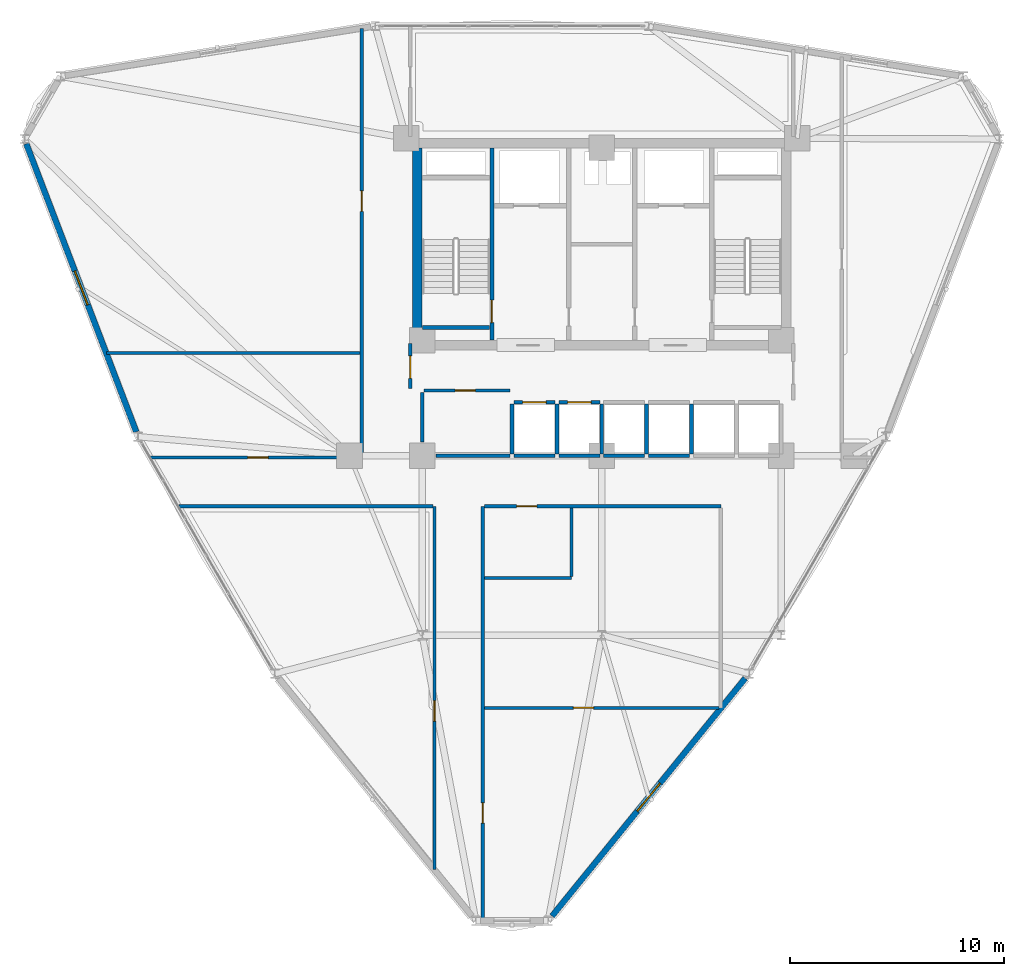
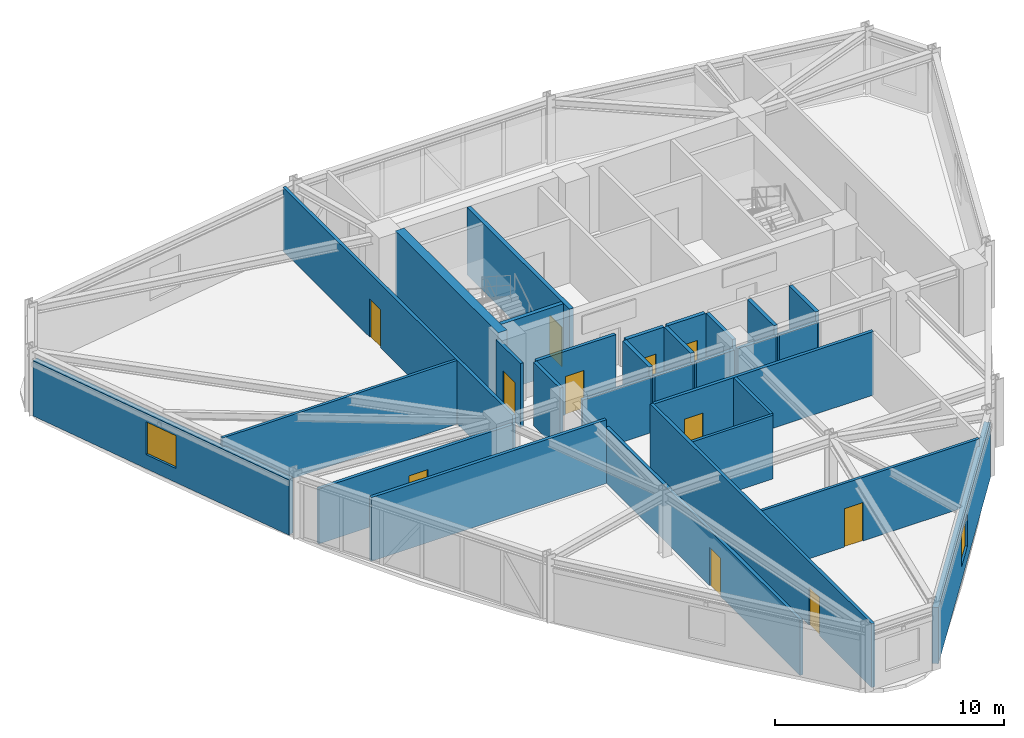
# One storey, part 10 of 15: 30 walls, 11 doors, 2 windows, 13 openings.
"""IFC4 building model written with IfcOpenShell, lengths in metres."""

from ifc_helpers import new_model, si_unit, derived_unit, direction, frame, frame_2d, origin, place, context, subcontext, project, spatial, rectangle, extrude, material, layer, layer_set, type_object, element, fill, save


model = new_model("IFC4")

# Units and contexts
model_context = context("Model", 3, precision=1e-05, world=origin(), true_north=direction((0.0, 1.0)))
body_context = subcontext(model_context, "Body", "Model", "MODEL_VIEW")
ifc_project = project(units=[si_unit("LENGTHUNIT", "METRE"), si_unit("AREAUNIT", "SQUARE_METRE"), si_unit("VOLUMEUNIT", "CUBIC_METRE"), si_unit("PLANEANGLEUNIT", "RADIAN"), si_unit("MASSUNIT", "GRAM", prefix="KILO"), derived_unit("THERMALTRANSMITTANCEUNIT", [(si_unit("POWERUNIT", "WATT"), 1), (si_unit("LENGTHUNIT", "METRE"), -2), (si_unit("THERMODYNAMICTEMPERATUREUNIT", "KELVIN"), -1)])], contexts=[model_context])

# Site, building, storey
site_placement = place(None, origin())
site = spatial("IfcSite", under=ifc_project, at=site_placement, CompositionType="ELEMENT")
building_placement = place(site_placement, origin())
building = spatial("IfcBuilding", under=site, at=building_placement, Name="Korsvarv Bourse and Concert Hall", CompositionType="ELEMENT")
storey_placement = place(building_placement, frame((0.0, 0.0, 161.39990234375)))
storey = spatial("IfcBuildingStorey", under=building, at=storey_placement, Name="L41", CompositionType="ELEMENT", Elevation=161.39990234375)

# Wall, opening, door
ifc_material_1 = material(Name="Concrete C50/60", Category="concrete")
ifc_layer_1 = layer(ifc_material_1, 0.3798828125)
ifc_layer_set_1 = layer_set([ifc_layer_1], Name="Concrete C50/60")
wall_type_1 = type_object("IfcWallType", Name="WL-CORE-380", PredefinedType="SHEAR", material=ifc_layer_set_1)
wall_1_placement = place(storey_placement, frame((30.860107421875, 37.81005859375, 0.0), z_axis=(0.0, 0.0, 1.0), x_axis=(0.0, 1.0, 0.0)))
wall_1 = element("IfcWall", 1, at=wall_1_placement, inside=storey, type_object=wall_type_1, Name="L41 stair shaft structural wall W-L41-ST1-E", PredefinedType="SHEAR", context=body_context, shape_type="SweptSolid", body=[
    extrude(rectangle(XDim=8.97998046875, YDim=0.199951171875, at=frame_2d((4.489990234375, 0.0))), origin(), (0.0, 0.0, 1.0), 3.60009765625),
])
opening_1_placement = place(wall_1_placement, frame((0.820068359375, 0.0, 0.0)))
opening_1 = element("IfcOpeningElement", 2, at=opening_1_placement, cuts=wall_1, Name="Opening D-01", PredefinedType="OPENING", context=body_context, shape_type="SweptSolid", body=[
    extrude(rectangle(XDim=1.050048828125, YDim=2.10009765625, at=frame_2d((0.52490234375, 1.050048828125))), frame((0.0, 0.10986328125, 0.0), z_axis=(0.0, -1.0, 0.0), x_axis=(1.0, 0.0, 0.0)), (0.0, 0.0, 1.0), 0.219970703125),
])
ifc_material_2 = material(Name="Steel S355 fire door", Category="steel")
door_type_1 = type_object("IfcDoorType", Name="DR-FD60", OperationType="NOTDEFINED", PredefinedType="DOOR", material=ifc_material_2)
door_1_placement = place(opening_1_placement, origin())
door_1 = element("IfcDoor", 3, at=door_1_placement, inside=storey, type_object=door_type_1, Name="L41 interior door DR-L41-ST1", OperationType="SINGLE_SWING_RIGHT", OverallHeight=2.10009765625, OverallWidth=1.050048828125, PredefinedType="DOOR", context=body_context, shape_type="SweptSolid", body=[
    extrude(rectangle(XDim=1.050048828125, YDim=2.10009765625, at=frame_2d((0.52490234375, 1.050048828125))), frame((0.0, 0.02490234375, 0.0), z_axis=(0.0, -1.0, 0.0), x_axis=(1.0, 0.0, 0.0)), (0.0, 0.0, 1.0), 0.050048828125),
])
fill(opening_1, door_1)

# Walls
wall_2_placement = place(storey_placement, frame((27.610107421875, 38.39990234375, 0.0), z_axis=(0.0, 0.0, 1.0), x_axis=(1.0, 0.0, 0.0)))
element("IfcWall", 4, at=wall_2_placement, inside=storey, type_object=wall_type_1, Name="L41 stair shaft structural wall W-L41-ST1-S", PredefinedType="SHEAR", context=body_context, shape_type="SweptSolid", body=[
    extrude(rectangle(XDim=3.139892578125, YDim=0.199951171875, at=frame_2d((1.56982421875, 0.0))), origin(), (0.0, 0.0, 1.0), 3.60009765625),
])
ifc_material_3 = material(Name="Concrete C55/67", Category="concrete")
ifc_layer_2 = layer(ifc_material_3, 0.449951171875)
ifc_layer_set_2 = layer_set([ifc_layer_2], Name="Concrete C55/67")
wall_type_2 = type_object("IfcWallType", Name="WL-CORE-450", PredefinedType="SHEAR", material=ifc_layer_set_2)
wall_3_placement = place(storey_placement, frame((27.375, 37.800048828125, 0.0), z_axis=(0.0, 0.0, 1.0), x_axis=(0.0, 1.0, 0.0)))
element("IfcWall", 5, at=wall_3_placement, inside=storey, type_object=wall_type_2, Name="L41 West Core Shear Wall", PredefinedType="SHEAR", context=body_context, shape_type="SweptSolid", body=[
    extrude(rectangle(XDim=9.0, YDim=0.449951171875, at=frame_2d((4.5, 0.0))), origin(), (0.0, 0.0, 1.0), 3.60009765625),
])

# Wall, opening, window
ifc_material_4 = material(Name="Precast concrete C45/55 with fluted terracotta pier", Category="concrete")
ifc_layer_3 = layer(ifc_material_4, 0.280029296875)
ifc_layer_set_3 = layer_set([ifc_layer_3], Name="Precast concrete C45/55 with fluted terracotta pier")
wall_type_3 = type_object("IfcWallType", Name="WL-EXT-TC2", PredefinedType="SOLIDWALL", material=ifc_layer_set_3)
wall_4_placement = place(storey_placement, frame((9.07080078125, 46.991455078125, 0.0), z_axis=(0.0, 0.0, 1.0), x_axis=(0.356763590825, -0.934194701474, 0.0)))
wall_4 = element("IfcWall", 6, at=wall_4_placement, inside=storey, type_object=wall_type_3, Name="L41 terracotta exterior wall EW-L41-B06", PredefinedType="SOLIDWALL", context=body_context, shape_type="SweptSolid", body=[
    extrude(rectangle(XDim=14.42822265625, YDim=0.280029296875, at=frame_2d((7.214111328125, 0.0))), origin(), (0.0, 0.0, 1.0), 2.9501953125),
])
opening_2_placement = place(wall_4_placement, frame((6.364013671875, 0.0, 0.75)))
opening_2 = element("IfcOpeningElement", 7, at=opening_2_placement, cuts=wall_4, Name="Opening W-01", PredefinedType="OPENING", context=body_context, shape_type="SweptSolid", body=[
    extrude(rectangle(XDim=1.699951171875, YDim=1.75, at=frame_2d((0.85009765625, 0.875))), frame((0.0, 0.14990234375, 0.0), z_axis=(0.0, -1.0, 0.0), x_axis=(1.0, 0.0, 0.0)), (0.0, 0.0, 1.0), 0.300048828125),
])
ifc_material_5 = material(Name="Thermally broken aluminium frame with triple low-E glass", Category="glass")
window_type = type_object("IfcWindowType", Name="WIN-TW1", PartitioningType="SINGLE_PANEL", PredefinedType="WINDOW", material=ifc_material_5)
window_1_placement = place(opening_2_placement, origin())
window_1 = element("IfcWindow", 8, at=window_1_placement, inside=storey, type_object=window_type, Name="L41 punched facade window W-01", OverallHeight=1.75, OverallWidth=1.699951171875, PartitioningType="SINGLE_PANEL", PredefinedType="WINDOW", context=body_context, shape_type="SweptSolid", body=[
    extrude(rectangle(XDim=1.699951171875, YDim=1.75, at=frame_2d((0.85009765625, 0.875))), frame((0.0, 0.030029296875, 0.0), z_axis=(0.0, -1.0, 0.0), x_axis=(1.0, 0.0, 0.0)), (0.0, 0.0, 1.0), 0.06005859375),
])
fill(opening_2, window_1)

wall_5_placement = place(storey_placement, frame((33.676513671875, 10.85791015625, 0.0), z_axis=(0.0, 0.0, 1.0), x_axis=(0.630649703469, 0.776067620452, 0.0)))
wall_5 = element("IfcWall", 9, at=wall_5_placement, inside=storey, type_object=wall_type_3, Name="L41 terracotta exterior wall EW-L41-B10", PredefinedType="SOLIDWALL", context=body_context, shape_type="SweptSolid", body=[
    extrude(rectangle(XDim=14.3310546875, YDim=0.280029296875, at=frame_2d((7.16552734375, 0.0))), origin(), (0.0, 0.0, 1.0), 3.0),
])
opening_3_placement = place(wall_5_placement, frame((6.315673828125, 0.0, 0.75)))
opening_3 = element("IfcOpeningElement", 10, at=opening_3_placement, cuts=wall_5, Name="Opening W-01", PredefinedType="OPENING", context=body_context, shape_type="SweptSolid", body=[
    extrude(rectangle(XDim=1.699951171875, YDim=1.75, at=frame_2d((0.85009765625, 0.875))), frame((0.0, 0.14990234375, 0.0), z_axis=(0.0, -1.0, 0.0), x_axis=(1.0, 0.0, 0.0)), (0.0, 0.0, 1.0), 0.300048828125),
])
window_2_placement = place(opening_3_placement, origin())
window_2 = element("IfcWindow", 11, at=window_2_placement, inside=storey, type_object=window_type, Name="L41 punched facade window W-01", OverallHeight=1.75, OverallWidth=1.699951171875, PartitioningType="SINGLE_PANEL", PredefinedType="WINDOW", context=body_context, shape_type="SweptSolid", body=[
    extrude(rectangle(XDim=1.699951171875, YDim=1.75, at=frame_2d((0.85009765625, 0.875))), frame((0.0, 0.030029296875, 0.0), z_axis=(0.0, -1.0, 0.0), x_axis=(1.0, 0.0, 0.0)), (0.0, 0.0, 1.0), 0.06005859375),
])
fill(opening_3, window_2)

# Walls
ifc_material_6 = material(Name="Double-stud fire-rated acoustic partition", Category="gypsum")
ifc_layer_4 = layer(ifc_material_6, 0.159912109375)
ifc_layer_set_4 = layer_set([ifc_layer_4], Name="Double-stud fire-rated acoustic partition")
wall_type_4 = type_object("IfcWallType", Name="WL-INT-EI60", PredefinedType="PARTITIONING", material=ifc_layer_set_4)
wall_6_placement = place(storey_placement, frame((28.25, 32.39990234375, 0.0), z_axis=(0.0, 0.0, 1.0), x_axis=(1.0, 0.0, 0.0)))
element("IfcWall", 12, at=wall_6_placement, inside=storey, type_object=wall_type_4, Name="L41 interior partition wall W-L41-FRD-S", PredefinedType="PARTITIONING", context=body_context, shape_type="SweptSolid", body=[
    extrude(rectangle(XDim=3.449951171875, YDim=0.159912109375, at=frame_2d((1.72509765625, 0.0))), origin(), (0.0, 0.0, 1.0), 2.9501953125),
])
wall_7_placement = place(storey_placement, frame((27.60009765625, 33.050048828125, 0.0), z_axis=(0.0, 0.0, 1.0), x_axis=(0.0, 1.0, 0.0)))
element("IfcWall", 13, at=wall_7_placement, inside=storey, type_object=wall_type_4, Name="L41 interior partition wall W-L41-FRD-W", PredefinedType="PARTITIONING", context=body_context, shape_type="SweptSolid", body=[
    extrude(rectangle(XDim=2.31005859375, YDim=0.159912109375, at=frame_2d((1.155029296875, 0.0))), origin(), (0.0, 0.0, 1.0), 3.400146484375),
])

# Wall, opening, door
wall_8_placement = place(storey_placement, frame((27.68994140625, 35.449951171875, 0.0), z_axis=(0.0, 0.0, 1.0), x_axis=(1.0, 0.0, 0.0)))
wall_8 = element("IfcWall", 14, at=wall_8_placement, inside=storey, type_object=wall_type_4, Name="L41 interior partition wall W-L41-FRD-N", PredefinedType="PARTITIONING", context=body_context, shape_type="SweptSolid", body=[
    extrude(rectangle(XDim=4.010009765625, YDim=0.159912109375, at=frame_2d((2.0048828125, 0.0))), origin(), (0.0, 0.0, 1.0), 3.400146484375),
])
opening_4_placement = place(wall_8_placement, frame((1.449951171875, 0.0, 0.0)))
opening_4 = element("IfcOpeningElement", 15, at=opening_4_placement, cuts=wall_8, Name="Opening D-03", PredefinedType="OPENING", context=body_context, shape_type="SweptSolid", body=[
    extrude(rectangle(XDim=0.949951171875, YDim=2.050048828125, at=frame_2d((0.47509765625, 1.02490234375))), frame((0.0, 0.08984375, 0.0), z_axis=(0.0, -1.0, 0.0), x_axis=(1.0, 0.0, 0.0)), (0.0, 0.0, 1.0), 0.179931640625),
])
ifc_material_7 = material(Name="Nordic oak acoustic office door", Category="wood")
door_type_2 = type_object("IfcDoorType", Name="DR-INT-1", OperationType="NOTDEFINED", PredefinedType="DOOR", material=ifc_material_7)
door_2_placement = place(opening_4_placement, origin())
door_2 = element("IfcDoor", 16, at=door_2_placement, inside=storey, type_object=door_type_2, Name="L41 interior door DR-L41-FRDN1", OperationType="SINGLE_SWING_RIGHT", OverallHeight=2.050048828125, OverallWidth=0.949951171875, PredefinedType="DOOR", context=body_context, shape_type="SweptSolid", body=[
    extrude(rectangle(XDim=0.949951171875, YDim=2.050048828125, at=frame_2d((0.47509765625, 1.02490234375))), frame((0.0, 0.02490234375, 0.0), z_axis=(0.0, -1.0, 0.0), x_axis=(1.0, 0.0, 0.0)), (0.0, 0.0, 1.0), 0.050048828125),
])
fill(opening_4, door_2)

wall_9_placement = place(storey_placement, frame((27.0400390625, 35.5400390625, 0.0), z_axis=(0.0, 0.0, 1.0), x_axis=(0.0, 1.0, 0.0)))
wall_9 = element("IfcWall", 17, at=wall_9_placement, inside=storey, type_object=wall_type_4, Name="L41 interior partition wall W-L41-LOB-WL", PredefinedType="PARTITIONING", context=body_context, shape_type="SweptSolid", body=[
    extrude(rectangle(XDim=2.10986328125, YDim=0.159912109375, at=frame_2d((1.054931640625, 0.0))), origin(), (0.0, 0.0, 1.0), 3.400146484375),
])
opening_5_placement = place(wall_9_placement, frame((0.47998046875, 0.0, 0.0)))
opening_5 = element("IfcOpeningElement", 18, at=opening_5_placement, cuts=wall_9, Name="Opening D-01", PredefinedType="OPENING", context=body_context, shape_type="SweptSolid", body=[
    extrude(rectangle(XDim=1.050048828125, YDim=2.10009765625, at=frame_2d((0.52490234375, 1.050048828125))), frame((0.0, 0.08984375, 0.0), z_axis=(0.0, -1.0, 0.0), x_axis=(1.0, 0.0, 0.0)), (0.0, 0.0, 1.0), 0.179931640625),
])
door_3_placement = place(opening_5_placement, frame((1.050048828125, 0.0, 0.0), z_axis=(0.0, 0.0, 1.0), x_axis=(-1.0, 0.0, 0.0)))
door_3 = element("IfcDoor", 19, at=door_3_placement, inside=storey, type_object=door_type_1, Name="L41 interior door DR-L41-LOBW", OperationType="SINGLE_SWING_LEFT", OverallHeight=2.10009765625, OverallWidth=1.050048828125, PredefinedType="DOOR", context=body_context, shape_type="SweptSolid", body=[
    extrude(rectangle(XDim=1.050048828125, YDim=2.10009765625, at=frame_2d((0.52490234375, 1.050048828125))), frame((0.0, 0.02490234375, 0.0), z_axis=(0.0, -1.0, 0.0), x_axis=(1.0, 0.0, 0.0)), (0.0, 0.0, 1.0), 0.050048828125),
])
fill(opening_5, door_3)

wall_10_placement = place(storey_placement, frame((24.77490234375, 32.31005859375, 0.0), z_axis=(0.0, 0.0, 1.0), x_axis=(0.0, 1.0, 0.0)))
wall_10 = element("IfcWall", 20, at=wall_10_placement, inside=storey, type_object=wall_type_4, Name="L41 interior partition wall W-L41-TCOR-01", PredefinedType="PARTITIONING", context=body_context, shape_type="SweptSolid", body=[
    extrude(rectangle(XDim=20.07763671875, YDim=0.159912109375, at=frame_2d((10.038818359375, 0.0))), origin(), (0.0, 0.0, 1.0), 3.400146484375),
])
opening_6_placement = place(wall_10_placement, frame((11.525390625, 0.0, 0.0)))
opening_6 = element("IfcOpeningElement", 21, at=opening_6_placement, cuts=wall_10, Name="Opening D-02", PredefinedType="OPENING", context=body_context, shape_type="SweptSolid", body=[
    extrude(rectangle(XDim=0.949951171875, YDim=2.050048828125, at=frame_2d((0.47509765625, 1.02490234375))), frame((0.0, 0.08984375, 0.0), z_axis=(0.0, -1.0, 0.0), x_axis=(1.0, 0.0, 0.0)), (0.0, 0.0, 1.0), 0.179931640625),
])
ifc_material_8 = material(Name="Timber and steel acoustic fire door", Category="wood")
door_type_3 = type_object("IfcDoorType", Name="DR-FD30", OperationType="NOTDEFINED", PredefinedType="DOOR", material=ifc_material_8)
door_4_placement = place(opening_6_placement, origin())
door_4 = element("IfcDoor", 22, at=door_4_placement, inside=storey, type_object=door_type_3, Name="L41 interior door DR-L41-TCOR-S067", OperationType="SINGLE_SWING_LEFT", OverallHeight=2.050048828125, OverallWidth=0.949951171875, PredefinedType="DOOR", context=body_context, shape_type="SweptSolid", body=[
    extrude(rectangle(XDim=0.949951171875, YDim=2.050048828125, at=frame_2d((0.47509765625, 1.02490234375))), frame((0.0, 0.02490234375, 0.0), z_axis=(0.0, -1.0, 0.0), x_axis=(1.0, 0.0, 0.0)), (0.0, 0.0, 1.0), 0.050048828125),
])
fill(opening_6, door_4)

wall_11_placement = place(storey_placement, frame((30.425048828125, 10.6552734375, 0.0), z_axis=(0.0, 0.0, 1.0), x_axis=(0.0, 1.0, 0.0)))
wall_11 = element("IfcWall", 23, at=wall_11_placement, inside=storey, type_object=wall_type_4, Name="L41 interior partition wall W-L41-TCOR-02", PredefinedType="PARTITIONING", context=body_context, shape_type="SweptSolid", body=[
    extrude(rectangle(XDim=19.374755859375, YDim=0.159912109375, at=frame_2d((9.6875, 0.0))), origin(), (0.0, 0.0, 1.0), 3.400146484375),
])
opening_7_placement = place(wall_11_placement, frame((4.552490234375, 0.0, 0.0)))
opening_7 = element("IfcOpeningElement", 24, at=opening_7_placement, cuts=wall_11, Name="Opening D-02", PredefinedType="OPENING", context=body_context, shape_type="SweptSolid", body=[
    extrude(rectangle(XDim=0.949951171875, YDim=2.050048828125, at=frame_2d((0.47509765625, 1.02490234375))), frame((0.0, 0.08984375, 0.0), z_axis=(0.0, -1.0, 0.0), x_axis=(1.0, 0.0, 0.0)), (0.0, 0.0, 1.0), 0.179931640625),
])
door_5_placement = place(opening_7_placement, origin())
door_5 = element("IfcDoor", 25, at=door_5_placement, inside=storey, type_object=door_type_3, Name="L41 interior door DR-L41-TCOR-S023", OperationType="SINGLE_SWING_RIGHT", OverallHeight=2.050048828125, OverallWidth=0.949951171875, PredefinedType="DOOR", context=body_context, shape_type="SweptSolid", body=[
    extrude(rectangle(XDim=0.949951171875, YDim=2.050048828125, at=frame_2d((0.47509765625, 1.02490234375))), frame((0.0, 0.02490234375, 0.0), z_axis=(0.0, -1.0, 0.0), x_axis=(1.0, 0.0, 0.0)), (0.0, 0.0, 1.0), 0.050048828125),
])
fill(opening_7, door_5)

wall_12_placement = place(storey_placement, frame((28.175048828125, 13.029541015625, 0.0), z_axis=(0.0, 0.0, 1.0), x_axis=(0.0, 1.0, 0.0)))
wall_12 = element("IfcWall", 26, at=wall_12_placement, inside=storey, type_object=wall_type_4, Name="L41 interior partition wall W-L41-TCOR-04", PredefinedType="PARTITIONING", context=body_context, shape_type="SweptSolid", body=[
    extrude(rectangle(XDim=17.00048828125, YDim=0.159912109375, at=frame_2d((8.500244140625, 0.0))), origin(), (0.0, 0.0, 1.0), 2.9501953125),
])
opening_8_placement = place(wall_12_placement, frame((6.955078125, 0.0, 0.0)))
opening_8 = element("IfcOpeningElement", 27, at=opening_8_placement, cuts=wall_12, Name="Opening D-02", PredefinedType="OPENING", context=body_context, shape_type="SweptSolid", body=[
    extrude(rectangle(XDim=0.949951171875, YDim=2.050048828125, at=frame_2d((0.47509765625, 1.02490234375))), frame((0.0, 0.08984375, 0.0), z_axis=(0.0, -1.0, 0.0), x_axis=(1.0, 0.0, 0.0)), (0.0, 0.0, 1.0), 0.179931640625),
])
door_6_placement = place(opening_8_placement, origin())
door_6 = element("IfcDoor", 28, at=door_6_placement, inside=storey, type_object=door_type_3, Name="L41 interior door DR-L41-TCOR-S035", OperationType="SINGLE_SWING_RIGHT", OverallHeight=2.050048828125, OverallWidth=0.949951171875, PredefinedType="DOOR", context=body_context, shape_type="SweptSolid", body=[
    extrude(rectangle(XDim=0.949951171875, YDim=2.050048828125, at=frame_2d((0.47509765625, 1.02490234375))), frame((0.0, 0.02490234375, 0.0), z_axis=(0.0, -1.0, 0.0), x_axis=(1.0, 0.0, 0.0)), (0.0, 0.0, 1.0), 0.050048828125),
])
fill(opening_8, door_6)

# Wall
wall_13_placement = place(storey_placement, frame((16.20849609375, 30.02490234375, 0.0), z_axis=(0.0, 0.0, 1.0), x_axis=(1.0, 0.0, 0.0)))
element("IfcWall", 29, at=wall_13_placement, inside=storey, type_object=wall_type_4, Name="L41 interior partition wall W-L41-TCOR-05", PredefinedType="PARTITIONING", context=body_context, shape_type="SweptSolid", body=[
    extrude(rectangle(XDim=11.884521484375, YDim=0.159912109375, at=frame_2d((5.9423828125, 0.0))), origin(), (0.0, 0.0, 1.0), 3.400146484375),
])

# Wall, opening, door
wall_14_placement = place(storey_placement, frame((30.507080078125, 30.02490234375, 0.0), z_axis=(0.0, 0.0, 1.0), x_axis=(1.0, 0.0, 0.0)))
wall_14 = element("IfcWall", 30, at=wall_14_placement, inside=storey, type_object=wall_type_4, Name="L41 interior partition wall W-L41-TCOR-06", PredefinedType="PARTITIONING", context=body_context, shape_type="SweptSolid", body=[
    extrude(rectangle(XDim=11.072998046875, YDim=0.159912109375, at=frame_2d((5.53662109375, 0.0))), origin(), (0.0, 0.0, 1.0), 3.400146484375),
])
opening_9_placement = place(wall_14_placement, frame((1.51220703125, 0.0, 0.0)))
opening_9 = element("IfcOpeningElement", 31, at=opening_9_placement, cuts=wall_14, Name="Opening D-02", PredefinedType="OPENING", context=body_context, shape_type="SweptSolid", body=[
    extrude(rectangle(XDim=0.949951171875, YDim=2.050048828125, at=frame_2d((0.47509765625, 1.02490234375))), frame((0.0, 0.08984375, 0.0), z_axis=(0.0, -1.0, 0.0), x_axis=(1.0, 0.0, 0.0)), (0.0, 0.0, 1.0), 0.179931640625),
])
door_7_placement = place(opening_9_placement, origin())
door_7 = element("IfcDoor", 32, at=door_7_placement, inside=storey, type_object=door_type_3, Name="L41 interior door DR-L41-TCOR-RWC", OperationType="SINGLE_SWING_LEFT", OverallHeight=2.050048828125, OverallWidth=0.949951171875, PredefinedType="DOOR", context=body_context, shape_type="SweptSolid", body=[
    extrude(rectangle(XDim=0.949951171875, YDim=2.050048828125, at=frame_2d((0.47509765625, 1.02490234375))), frame((0.0, 0.02490234375, 0.0), z_axis=(0.0, -1.0, 0.0), x_axis=(1.0, 0.0, 0.0)), (0.0, 0.0, 1.0), 0.050048828125),
])
fill(opening_9, door_7)

wall_15_placement = place(storey_placement, frame((14.88623046875, 32.31494140625, 0.0), z_axis=(0.0, 0.0, 1.0), x_axis=(1.0, 0.0, 0.0)))
wall_15 = element("IfcWall", 33, at=wall_15_placement, inside=storey, type_object=wall_type_4, Name="L41 interior partition wall W-L41-TCOR-07", PredefinedType="PARTITIONING", context=body_context, shape_type="SweptSolid", body=[
    extrude(rectangle(XDim=9.806884765625, YDim=0.159912109375, at=frame_2d((4.9033203125, 0.0))), origin(), (0.0, 0.0, 1.0), 2.9501953125),
])
opening_10_placement = place(wall_15_placement, frame((4.54736328125, 0.0, 0.0)))
opening_10 = element("IfcOpeningElement", 34, at=opening_10_placement, cuts=wall_15, Name="Opening D-02", PredefinedType="OPENING", context=body_context, shape_type="SweptSolid", body=[
    extrude(rectangle(XDim=0.949951171875, YDim=2.050048828125, at=frame_2d((0.47509765625, 1.02490234375))), frame((0.0, 0.08984375, 0.0), z_axis=(0.0, -1.0, 0.0), x_axis=(1.0, 0.0, 0.0)), (0.0, 0.0, 1.0), 0.179931640625),
])
door_8_placement = place(opening_10_placement, origin())
door_8 = element("IfcDoor", 35, at=door_8_placement, inside=storey, type_object=door_type_3, Name="L41 interior door DR-L41-TCOR-S056", OperationType="SINGLE_SWING_RIGHT", OverallHeight=2.050048828125, OverallWidth=0.949951171875, PredefinedType="DOOR", context=body_context, shape_type="SweptSolid", body=[
    extrude(rectangle(XDim=0.949951171875, YDim=2.050048828125, at=frame_2d((0.47509765625, 1.02490234375))), frame((0.0, 0.02490234375, 0.0), z_axis=(0.0, -1.0, 0.0), x_axis=(1.0, 0.0, 0.0)), (0.0, 0.0, 1.0), 0.050048828125),
])
fill(opening_10, door_8)

ifc_material_9 = material(Name="Gypsum-clad autoclaved concrete shaft wall C30/37", Category="concrete")
ifc_layer_5 = layer(ifc_material_9, 0.179931640625)
ifc_layer_set_5 = layer_set([ifc_layer_5], Name="Gypsum-clad autoclaved concrete shaft wall C30/37")
wall_type_5 = type_object("IfcWallType", Name="WL-INT-EI90", PredefinedType="PARTITIONING", material=ifc_layer_set_5)
wall_16_placement = place(storey_placement, frame((31.889892578125, 34.89990234375, 0.0), z_axis=(0.0, 0.0, 1.0), x_axis=(1.0, 0.0, 0.0)))
wall_16 = element("IfcWall", 36, at=wall_16_placement, inside=storey, type_object=wall_type_5, Name="L41 interior partition wall W-L41-SHFN-PM1", PredefinedType="PARTITIONING", context=body_context, shape_type="SweptSolid", body=[
    extrude(rectangle(XDim=1.920166015625, YDim=0.179931640625, at=frame_2d((0.9599609375, 0.0))), origin(), (0.0, 0.0, 1.0), 3.400146484375),
])
opening_11_placement = place(wall_16_placement, frame((0.409912109375, 0.0, 0.0)))
opening_11 = element("IfcOpeningElement", 37, at=opening_11_placement, cuts=wall_16, Name="Opening LD-2", PredefinedType="OPENING", context=body_context, shape_type="SweptSolid", body=[
    extrude(rectangle(XDim=1.10009765625, YDim=2.10009765625, at=frame_2d((0.550048828125, 1.050048828125))), frame((0.0, 0.10009765625, 0.0), z_axis=(0.0, -1.0, 0.0), x_axis=(1.0, 0.0, 0.0)), (0.0, 0.0, 1.0), 0.199951171875),
])
ifc_material_10 = material(Name="Brushed stainless Steel S355 lift landing door", Category="steel")
door_type_4 = type_object("IfcDoorType", Name="DR-LIFT-P", OperationType="DOUBLE_DOOR_SLIDING", PredefinedType="DOOR", material=ifc_material_10)
door_9_placement = place(opening_11_placement, origin())
door_9 = element("IfcDoor", 38, at=door_9_placement, inside=storey, type_object=door_type_4, Name="L41 lift sliding landing door LD-L41-PM1", OperationType="DOUBLE_DOOR_SLIDING", OverallHeight=2.10009765625, OverallWidth=1.10009765625, PredefinedType="DOOR", context=body_context, shape_type="SweptSolid", body=[
    extrude(rectangle(XDim=1.10009765625, YDim=2.10009765625, at=frame_2d((0.550048828125, 1.050048828125))), frame((0.0, 0.02490234375, 0.0), z_axis=(0.0, -1.0, 0.0), x_axis=(1.0, 0.0, 0.0)), (0.0, 0.0, 1.0), 0.050048828125),
])
fill(opening_11, door_9)

# Walls
wall_17_placement = place(storey_placement, frame((31.889892578125, 32.39990234375, 0.0), z_axis=(0.0, 0.0, 1.0), x_axis=(1.0, 0.0, 0.0)))
element("IfcWall", 39, at=wall_17_placement, inside=storey, type_object=wall_type_5, Name="L41 interior partition wall W-L41-SHFS-PM1", PredefinedType="PARTITIONING", context=body_context, shape_type="SweptSolid", body=[
    extrude(rectangle(XDim=1.920166015625, YDim=0.179931640625, at=frame_2d((0.9599609375, 0.0))), origin(), (0.0, 0.0, 1.0), 2.9501953125),
])
wall_18_placement = place(storey_placement, frame((31.800048828125, 32.489990234375, 0.0), z_axis=(0.0, 0.0, 1.0), x_axis=(0.0, 1.0, 0.0)))
element("IfcWall", 40, at=wall_18_placement, inside=storey, type_object=wall_type_5, Name="L41 interior partition wall W-L41-SHFW-PM1", PredefinedType="PARTITIONING", context=body_context, shape_type="SweptSolid", body=[
    extrude(rectangle(XDim=2.320068359375, YDim=0.179931640625, at=frame_2d((1.16015625, 0.0))), origin(), (0.0, 0.0, 1.0), 3.400146484375),
])

# Wall, opening, door
wall_19_placement = place(storey_placement, frame((33.989990234375, 34.89990234375, 0.0), z_axis=(0.0, 0.0, 1.0), x_axis=(1.0, 0.0, 0.0)))
wall_19 = element("IfcWall", 41, at=wall_19_placement, inside=storey, type_object=wall_type_5, Name="L41 interior partition wall W-L41-SHFN-PM2", PredefinedType="PARTITIONING", context=body_context, shape_type="SweptSolid", body=[
    extrude(rectangle(XDim=1.919921875, YDim=0.179931640625, at=frame_2d((0.9599609375, 0.0))), origin(), (0.0, 0.0, 1.0), 3.400146484375),
])
opening_12_placement = place(wall_19_placement, frame((0.409912109375, 0.0, 0.0)))
opening_12 = element("IfcOpeningElement", 42, at=opening_12_placement, cuts=wall_19, Name="Opening LD-2", PredefinedType="OPENING", context=body_context, shape_type="SweptSolid", body=[
    extrude(rectangle(XDim=1.10009765625, YDim=2.10009765625, at=frame_2d((0.550048828125, 1.050048828125))), frame((0.0, 0.10009765625, 0.0), z_axis=(0.0, -1.0, 0.0), x_axis=(1.0, 0.0, 0.0)), (0.0, 0.0, 1.0), 0.199951171875),
])
door_10_placement = place(opening_12_placement, origin())
door_10 = element("IfcDoor", 43, at=door_10_placement, inside=storey, type_object=door_type_4, Name="L41 lift sliding landing door LD-L41-PM2", OperationType="DOUBLE_DOOR_SLIDING", OverallHeight=2.10009765625, OverallWidth=1.10009765625, PredefinedType="DOOR", context=body_context, shape_type="SweptSolid", body=[
    extrude(rectangle(XDim=1.10009765625, YDim=2.10009765625, at=frame_2d((0.550048828125, 1.050048828125))), frame((0.0, 0.02490234375, 0.0), z_axis=(0.0, -1.0, 0.0), x_axis=(1.0, 0.0, 0.0)), (0.0, 0.0, 1.0), 0.050048828125),
])
fill(opening_12, door_10)

# Walls
wall_20_placement = place(storey_placement, frame((33.989990234375, 32.39990234375, 0.0), z_axis=(0.0, 0.0, 1.0), x_axis=(1.0, 0.0, 0.0)))
element("IfcWall", 44, at=wall_20_placement, inside=storey, type_object=wall_type_5, Name="L41 interior partition wall W-L41-SHFS-PM2", PredefinedType="PARTITIONING", context=body_context, shape_type="SweptSolid", body=[
    extrude(rectangle(XDim=1.919921875, YDim=0.179931640625, at=frame_2d((0.9599609375, 0.0))), origin(), (0.0, 0.0, 1.0), 2.9501953125),
])
wall_21_placement = place(storey_placement, frame((33.89990234375, 32.489990234375, 0.0), z_axis=(0.0, 0.0, 1.0), x_axis=(0.0, 1.0, 0.0)))
element("IfcWall", 45, at=wall_21_placement, inside=storey, type_object=wall_type_5, Name="L41 interior partition wall W-L41-SHFW-PM2", PredefinedType="PARTITIONING", context=body_context, shape_type="SweptSolid", body=[
    extrude(rectangle(XDim=2.320068359375, YDim=0.179931640625, at=frame_2d((1.16015625, 0.0))), origin(), (0.0, 0.0, 1.0), 3.400146484375),
])
wall_22_placement = place(storey_placement, frame((36.090087890625, 32.39990234375, 0.0), z_axis=(0.0, 0.0, 1.0), x_axis=(1.0, 0.0, 0.0)))
element("IfcWall", 46, at=wall_22_placement, inside=storey, type_object=wall_type_5, Name="L41 interior partition wall W-L41-SHFS-PH1", PredefinedType="PARTITIONING", context=body_context, shape_type="SweptSolid", body=[
    extrude(rectangle(XDim=1.919921875, YDim=0.179931640625, at=frame_2d((0.9599609375, 0.0))), origin(), (0.0, 0.0, 1.0), 2.9501953125),
])
wall_23_placement = place(storey_placement, frame((36.0, 32.489990234375, 0.0), z_axis=(0.0, 0.0, 1.0), x_axis=(0.0, 1.0, 0.0)))
element("IfcWall", 47, at=wall_23_placement, inside=storey, type_object=wall_type_5, Name="L41 interior partition wall W-L41-SHFW-PH1", PredefinedType="PARTITIONING", context=body_context, shape_type="SweptSolid", body=[
    extrude(rectangle(XDim=2.320068359375, YDim=0.179931640625, at=frame_2d((1.16015625, 0.0))), origin(), (0.0, 0.0, 1.0), 3.400146484375),
])
wall_24_placement = place(storey_placement, frame((38.18994140625, 32.39990234375, 0.0), z_axis=(0.0, 0.0, 1.0), x_axis=(1.0, 0.0, 0.0)))
element("IfcWall", 48, at=wall_24_placement, inside=storey, type_object=wall_type_5, Name="L41 interior partition wall W-L41-SHFS-PH2", PredefinedType="PARTITIONING", context=body_context, shape_type="SweptSolid", body=[
    extrude(rectangle(XDim=1.920166015625, YDim=0.179931640625, at=frame_2d((0.9599609375, 0.0))), origin(), (0.0, 0.0, 1.0), 2.9501953125),
])
for number, where, z_axis, x_axis, name in (
    (49, (38.10009765625, 32.489990234375, 0.0), (0.0, 0.0, 1.0), (0.0, 1.0, 0.0), "L41 interior partition wall W-L41-SHFW-PH2"),
    (50, (40.199951171875, 32.489990234375, 0.0), (0.0, 0.0, 1.0), (0.0, 1.0, 0.0), "L41 interior partition wall W-L41-SHFW-PO1"),
):
    element("IfcWall", number, at=place(storey_placement, frame(where, z_axis=z_axis, x_axis=x_axis)), inside=storey, type_object=wall_type_5, Name=name, PredefinedType="PARTITIONING", context=body_context, shape_type="SweptSolid", body=[
        extrude(rectangle(XDim=2.320068359375, YDim=0.179931640625, at=frame_2d((1.16015625, 0.0))), origin(), (0.0, 0.0, 1.0), 3.400146484375),
    ])
ifc_material_11 = material(Name="Insulated steel-stud office acoustic partition", Category="gypsum")
ifc_layer_6 = layer(ifc_material_11, 0.139892578125)
ifc_layer_set_6 = layer_set([ifc_layer_6], Name="Insulated steel-stud office acoustic partition")
wall_type_6 = type_object("IfcWallType", Name="WL-INT-P1", PredefinedType="PARTITIONING", material=ifc_layer_set_6)
wall_25_placement = place(storey_placement, frame((12.828125, 37.205078125, 0.0), z_axis=(0.0, 0.0, 1.0), x_axis=(1.0, 0.0, 0.0)))
element("IfcWall", 51, at=wall_25_placement, inside=storey, type_object=wall_type_6, Name="L41 interior partition wall W-L41-TCOR-12", PredefinedType="PARTITIONING", context=body_context, shape_type="SweptSolid", body=[
    extrude(rectangle(XDim=11.864990234375, YDim=0.139892578125, at=frame_2d((5.9326171875, 0.0))), origin(), (0.0, 0.0, 1.0), 3.400146484375),
])

# Wall, opening, door
wall_26_placement = place(storey_placement, frame((30.507080078125, 20.60498046875, 0.0), z_axis=(0.0, 0.0, 1.0), x_axis=(1.0, 0.0, 0.0)))
wall_26 = element("IfcWall", 52, at=wall_26_placement, inside=storey, type_object=wall_type_6, Name="L41 interior partition wall W-L41-TCOR-13", PredefinedType="PARTITIONING", context=body_context, shape_type="SweptSolid", body=[
    extrude(rectangle(XDim=10.98583984375, YDim=0.139892578125, at=frame_2d((5.492919921875, 0.0))), origin(), (0.0, 0.0, 1.0), 3.400146484375),
])
opening_13_placement = place(wall_26_placement, frame((4.163818359375, 0.0, 0.0)))
opening_13 = element("IfcOpeningElement", 53, at=opening_13_placement, cuts=wall_26, Name="Opening D-03", PredefinedType="OPENING", context=body_context, shape_type="SweptSolid", body=[
    extrude(rectangle(XDim=0.949951171875, YDim=2.050048828125, at=frame_2d((0.47509765625, 1.02490234375))), frame((0.0, 0.080078125, 0.0), z_axis=(0.0, -1.0, 0.0), x_axis=(1.0, 0.0, 0.0)), (0.0, 0.0, 1.0), 0.159912109375),
])
door_11_placement = place(opening_13_placement, origin())
door_11 = element("IfcDoor", 54, at=door_11_placement, inside=storey, type_object=door_type_2, Name="L41 interior door DR-L41-TCOR-S014", OperationType="SINGLE_SWING_RIGHT", OverallHeight=2.050048828125, OverallWidth=0.949951171875, PredefinedType="DOOR", context=body_context, shape_type="SweptSolid", body=[
    extrude(rectangle(XDim=0.949951171875, YDim=2.050048828125, at=frame_2d((0.47509765625, 1.02490234375))), frame((0.0, 0.02490234375, 0.0), z_axis=(0.0, -1.0, 0.0), x_axis=(1.0, 0.0, 0.0)), (0.0, 0.0, 1.0), 0.050048828125),
])
fill(opening_13, door_11)

# Walls
wall_27_placement = place(storey_placement, frame((30.507080078125, 26.675048828125, 0.0), z_axis=(0.0, 0.0, 1.0), x_axis=(1.0, 0.0, 0.0)))
element("IfcWall", 55, at=wall_27_placement, inside=storey, type_object=wall_type_6, Name="L41 interior partition wall W-L41-TCOR-14", PredefinedType="PARTITIONING", context=body_context, shape_type="SweptSolid", body=[
    extrude(rectangle(XDim=4.072998046875, YDim=0.139892578125, at=frame_2d((2.03662109375, 0.0))), origin(), (0.0, 0.0, 1.0), 3.400146484375),
])
wall_28_placement = place(storey_placement, frame((34.574951171875, 26.7470703125, 0.0), z_axis=(0.0, 0.0, 1.0), x_axis=(0.0, 1.0, 0.0)))
element("IfcWall", 56, at=wall_28_placement, inside=storey, type_object=wall_type_6, Name="L41 interior partition wall W-L41-TCOR-15", PredefinedType="PARTITIONING", context=body_context, shape_type="SweptSolid", body=[
    extrude(rectangle(XDim=3.196044921875, YDim=0.139892578125, at=frame_2d((1.59814453125, 0.0))), origin(), (0.0, 0.0, 1.0), 3.400146484375),
])

save(model, "model.ifc")
